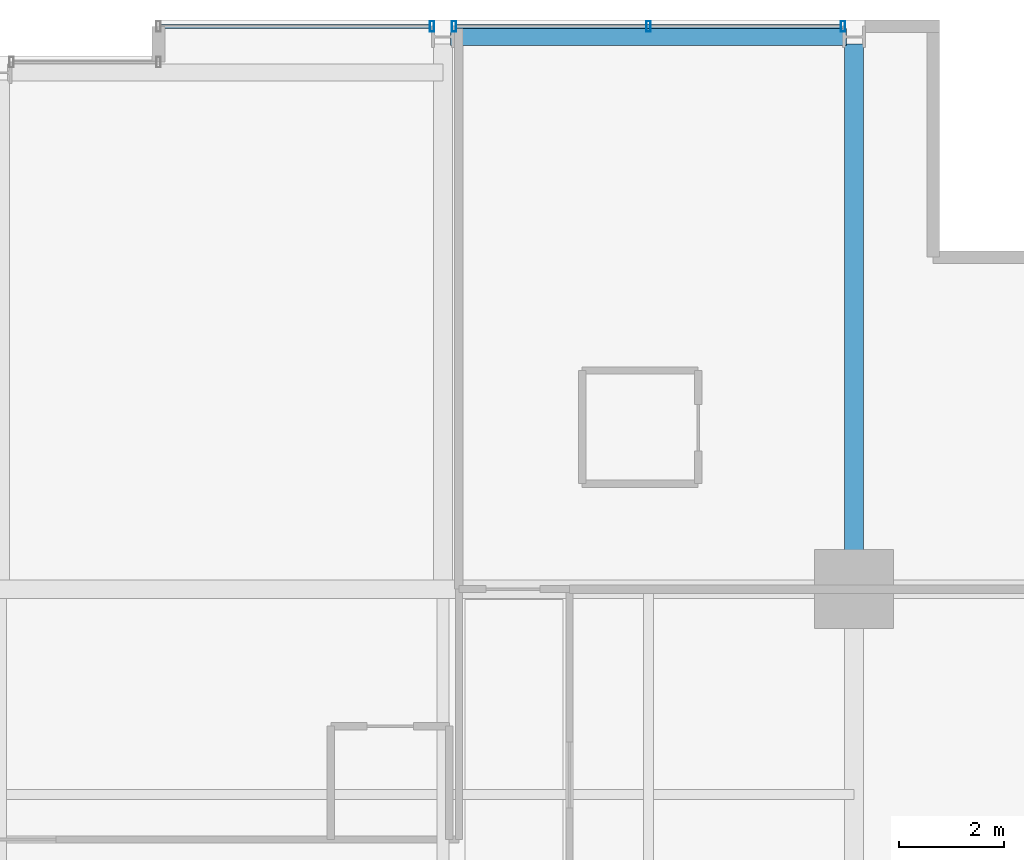
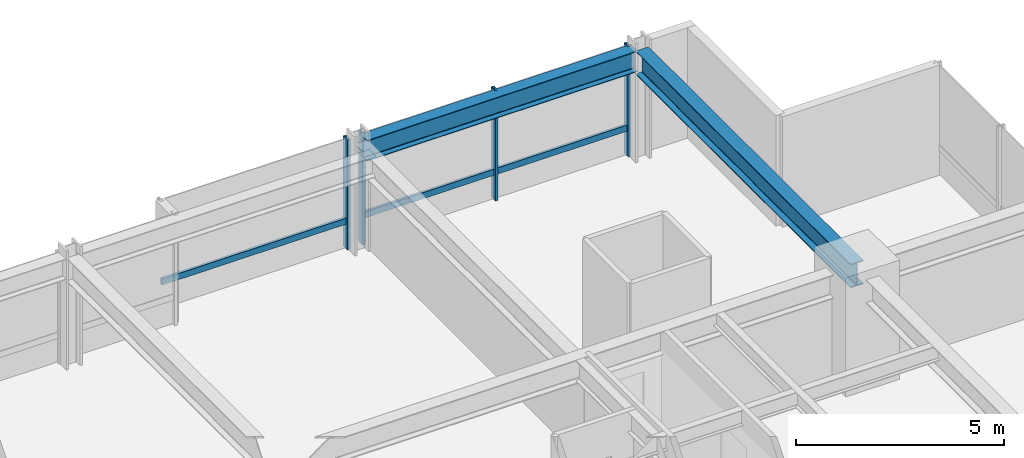
# One storey, part 25 of 33: 6 members, 2 beams, 2 elements without a shape of their own.
"""IFC4 building model written with IfcOpenShell, lengths in metres."""

from ifc_helpers import new_model, si_unit, direction, frame, origin, origin_2d, place, context, subcontext, project, spatial, hollow_rectangle, i_section, extrude, material, layer, layer_set, material_profile, profile_set, type_object, element, aggregate, save


model = new_model("IFC4")

# Units and contexts
model_context = context("Model", 3, precision=1e-05, world=origin(), true_north=direction((0.0, 1.0)))
body_context = subcontext(model_context, "Body", "Model", "MODEL_VIEW")
ifc_project = project(units=[si_unit("LENGTHUNIT", "METRE"), si_unit("AREAUNIT", "SQUARE_METRE"), si_unit("VOLUMEUNIT", "CUBIC_METRE"), si_unit("PLANEANGLEUNIT", "RADIAN"), si_unit("MASSUNIT", "GRAM", prefix="KILO")], contexts=[model_context])

# Site, building, storey
site_placement = place(None, origin())
site = spatial("IfcSite", under=ifc_project, at=site_placement, CompositionType="ELEMENT")
building_placement = place(site_placement, origin())
building = spatial("IfcBuilding", under=site, at=building_placement, Name="Drelvath Grand Hotel", CompositionType="ELEMENT")
storey_placement = place(building_placement, frame((0.0, 0.0, 119.800048828125)))
storey = spatial("IfcBuildingStorey", under=building, at=storey_placement, Name="L30", CompositionType="ELEMENT", Elevation=119.800048828125)

# Curtain wall, member
ifc_material_1 = material(Name="Champagne Bronze Anodised Aluminium Frame", Category="aluminium")
ifc_layer = layer(ifc_material_1, 0.199951171875)
ifc_layer_set = layer_set([ifc_layer], Name="Champagne Bronze Anodised Aluminium Frame")
curtain_wall_type = type_object("IfcCurtainWallType", Name="Stick Curtain Wall CW-03 Champagne Bronze Mid-Rise", PredefinedType="NOTDEFINED", material=ifc_layer_set)
curtain_wall_1_placement = place(storey_placement, origin())
curtain_wall_1 = element("IfcCurtainWall", 1, at=curtain_wall_1_placement, inside=storey, type_object=curtain_wall_type, Name="L30 CW-03 Curtain Wall CW03-L30-NE1", PredefinedType="NOTDEFINED")
ifc_material_profile_1 = material_profile(ifc_material_1, hollow_rectangle(XDim=0.074951171875, YDim=0.179931640625, WallThickness=0.0048828125, at=origin_2d()), Name="HSS180X75X5")
ifc_profile_set_1 = profile_set([ifc_material_profile_1], Name="Champagne Bronze Anodised Aluminium Frame")
member_type_1 = type_object("IfcMemberType", Name="Curtain Wall Horizontal Transom CW-03 HSS180X75X5", PredefinedType="USERDEFINED", material=ifc_profile_set_1)
member_1_placement = place(storey_placement, frame((3.0400390625, 53.8798828125, 0.81005859375), z_axis=(1.0, 0.0, 0.0), x_axis=(0.0, 1.0, 0.0)))
member_1 = element("IfcMember", 2, at=member_1_placement, type_object=member_type_1, Name="CW03-L30-NE1 Sill Transom", ObjectType="TRANSOM", PredefinedType="USERDEFINED", context=body_context, shape_type="SweptSolid", body=[
    extrude(hollow_rectangle(XDim=0.074951171875, YDim=0.179931640625, WallThickness=0.0048828125, at=origin_2d()), origin(), (0.0, 0.0, 1.0), 5.110595703125),
])

curtain_wall_2_placement = place(storey_placement, origin())
curtain_wall_2 = element("IfcCurtainWall", 3, at=curtain_wall_2_placement, inside=storey, type_object=curtain_wall_type, Name="L30 CW-03 Curtain Wall CW03-L30-NE2", PredefinedType="NOTDEFINED")
member_2_placement = place(storey_placement, frame((8.6494140625, 53.8798828125, 0.81005859375), z_axis=(1.0, 0.0, 0.0), x_axis=(0.0, 1.0, 0.0)))
member_2 = element("IfcMember", 4, at=member_2_placement, type_object=member_type_1, Name="CW03-L30-NE2 Sill Transom", ObjectType="TRANSOM", PredefinedType="USERDEFINED", context=body_context, shape_type="SweptSolid", body=[
    extrude(hollow_rectangle(XDim=0.074951171875, YDim=0.179931640625, WallThickness=0.0048828125, at=origin_2d()), origin(), (0.0, 0.0, 1.0), 7.30126953125),
])

# Member
ifc_material_profile_2 = material_profile(ifc_material_1, hollow_rectangle(XDim=0.080078125, YDim=0.199951171875, WallThickness=0.0048828125, at=origin_2d()), Name="HSS200X80X5")
ifc_profile_set_2 = profile_set([ifc_material_profile_2], Name="Champagne Bronze Anodised Aluminium Frame")
member_type_2 = type_object("IfcMemberType", Name="Curtain Wall Vertical Mullion CW-03 HSS200X80X5", PredefinedType="MULLION", material=ifc_profile_set_2)
member_3_placement = place(storey_placement, frame((8.190673828125, 53.8798828125, 0.0), z_axis=(0.0, 0.0, 1.0), x_axis=(1.0, 0.0, 0.0)))
member_3 = element("IfcMember", 5, at=member_3_placement, type_object=member_type_2, Name="CW03-L30-NE1 Mullion 2", PredefinedType="MULLION", context=body_context, shape_type="SweptSolid", body=[
    extrude(hollow_rectangle(XDim=0.080078125, YDim=0.199951171875, WallThickness=0.0048828125, at=origin_2d()), origin(), (0.0, 0.0, 1.0), 3.239990234375),
])

aggregate(curtain_wall_1, [member_3, member_1])

member_4_placement = place(storey_placement, frame((8.609375, 53.8798828125, 0.0), z_axis=(0.0, 0.0, 1.0), x_axis=(1.0, 0.0, 0.0)))
member_4 = element("IfcMember", 6, at=member_4_placement, type_object=member_type_2, Name="CW03-L30-NE2 Mullion 1", PredefinedType="MULLION", context=body_context, shape_type="SweptSolid", body=[
    extrude(hollow_rectangle(XDim=0.080078125, YDim=0.199951171875, WallThickness=0.0048828125, at=origin_2d()), origin(), (0.0, 0.0, 1.0), 3.239990234375),
])

member_5_placement = place(storey_placement, frame((12.300048828125, 53.8798828125, 0.0), z_axis=(0.0, 0.0, 1.0), x_axis=(1.0, 0.0, 0.0)))
member_5 = element("IfcMember", 7, at=member_5_placement, type_object=member_type_2, Name="CW03-L30-NE2 Mullion 2", PredefinedType="MULLION", context=body_context, shape_type="SweptSolid", body=[
    extrude(hollow_rectangle(XDim=0.080078125, YDim=0.199951171875, WallThickness=0.0048828125, at=origin_2d()), origin(), (0.0, 0.0, 1.0), 3.239990234375),
])

member_6_placement = place(storey_placement, frame((15.990478515625, 53.8798828125, 0.0), z_axis=(0.0, 0.0, 1.0), x_axis=(1.0, 0.0, 0.0)))
member_6 = element("IfcMember", 8, at=member_6_placement, type_object=member_type_2, Name="CW03-L30-NE2 Mullion 3", PredefinedType="MULLION", context=body_context, shape_type="SweptSolid", body=[
    extrude(hollow_rectangle(XDim=0.080078125, YDim=0.199951171875, WallThickness=0.0048828125, at=origin_2d()), origin(), (0.0, 0.0, 1.0), 3.239990234375),
])

aggregate(curtain_wall_2, [member_4, member_5, member_6, member_2])

# Beams
ifc_material_2 = material(Name="Steel ASTM A992 Gr 50", Category="steel")
ifc_material_profile_3 = material_profile(ifc_material_2, i_section(OverallWidth=0.323974609375, OverallDepth=0.611083984375, WebThickness=0.0126953125, FlangeThickness=0.01904296875, FilletRadius=0.02197265625, at=origin_2d()), Name="W24X104")
ifc_profile_set_3 = profile_set([ifc_material_profile_3], Name="Steel ASTM A992 Gr 50")
beam_type_1 = type_object("IfcBeamType", Name="Perimeter Spandrel Beam W24X104", PredefinedType="SPANDREL", material=ifc_profile_set_3)
beam_1_placement = place(storey_placement, frame((8.5400390625, 53.679931640625, 2.9345703125), z_axis=(1.0, 0.0, 0.0), x_axis=(0.0, 1.0, 0.0)))
element("IfcBeam", 9, at=beam_1_placement, inside=storey, type_object=beam_type_1, Name="L30 Spandrel North E", PredefinedType="SPANDREL", context=body_context, shape_type="SweptSolid", body=[
    extrude(i_section(OverallWidth=0.323974609375, OverallDepth=0.611083984375, WebThickness=0.0126953125, FlangeThickness=0.01904296875, FilletRadius=0.02197265625, at=origin_2d()), origin(), (0.0, 0.0, 1.0), 7.52001953125),
])
ifc_material_profile_4 = material_profile(ifc_material_2, i_section(OverallWidth=0.354736328125, OverallDepth=0.695556640625, WebThickness=0.015380859375, FlangeThickness=0.025146484375, FilletRadius=0.02392578125, at=origin_2d()), Name="W27X146")
ifc_profile_set_4 = profile_set([ifc_material_profile_4], Name="Steel ASTM A992 Gr 50")
beam_type_2 = type_object("IfcBeamType", Name="Primary Floor Girder W27X146", PredefinedType="BEAM", material=ifc_profile_set_4)
beam_2_placement = place(storey_placement, frame((16.199951171875, 43.199951171875, 2.892333984375), z_axis=(0.0, 1.0, 0.0), x_axis=(-1.0, 0.0, 0.0)))
element("IfcBeam", 10, at=beam_2_placement, inside=storey, type_object=beam_type_2, Name="L30 North Grid Girder 7", PredefinedType="BEAM", context=body_context, shape_type="SweptSolid", body=[
    extrude(i_section(OverallWidth=0.354736328125, OverallDepth=0.695556640625, WebThickness=0.015380859375, FlangeThickness=0.025146484375, FilletRadius=0.02392578125, at=origin_2d()), origin(), (0.0, 0.0, 1.0), 10.340087890625),
])

save(model, "model.ifc")
